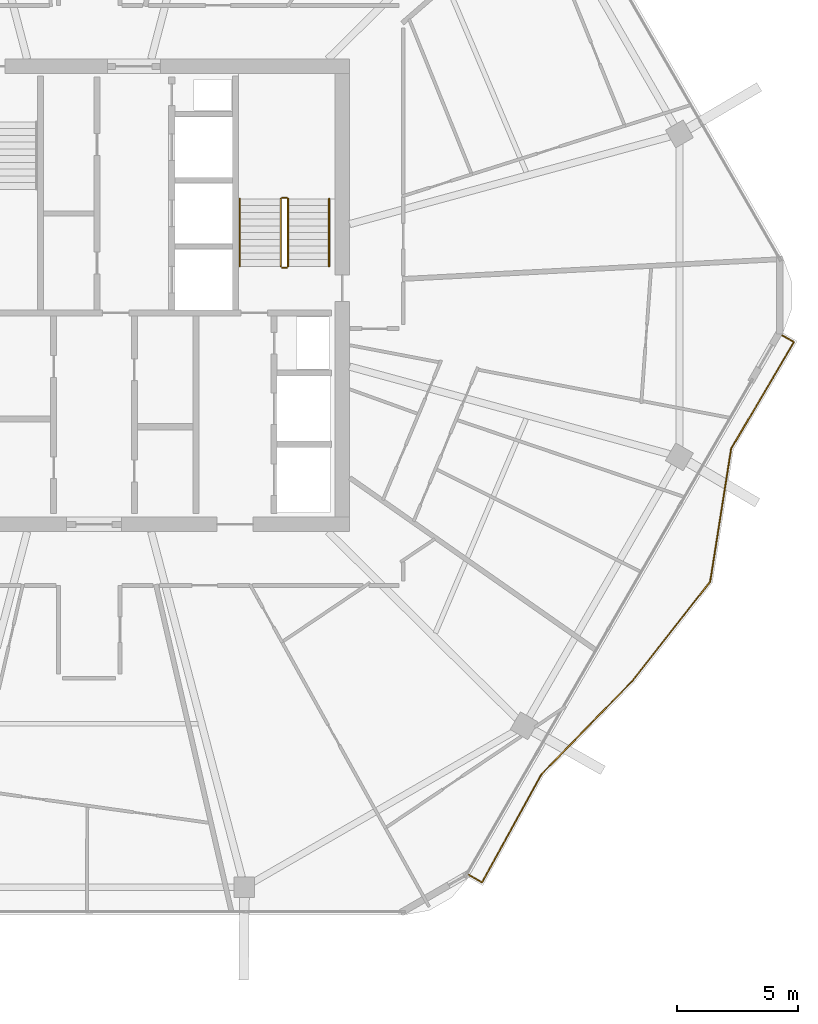
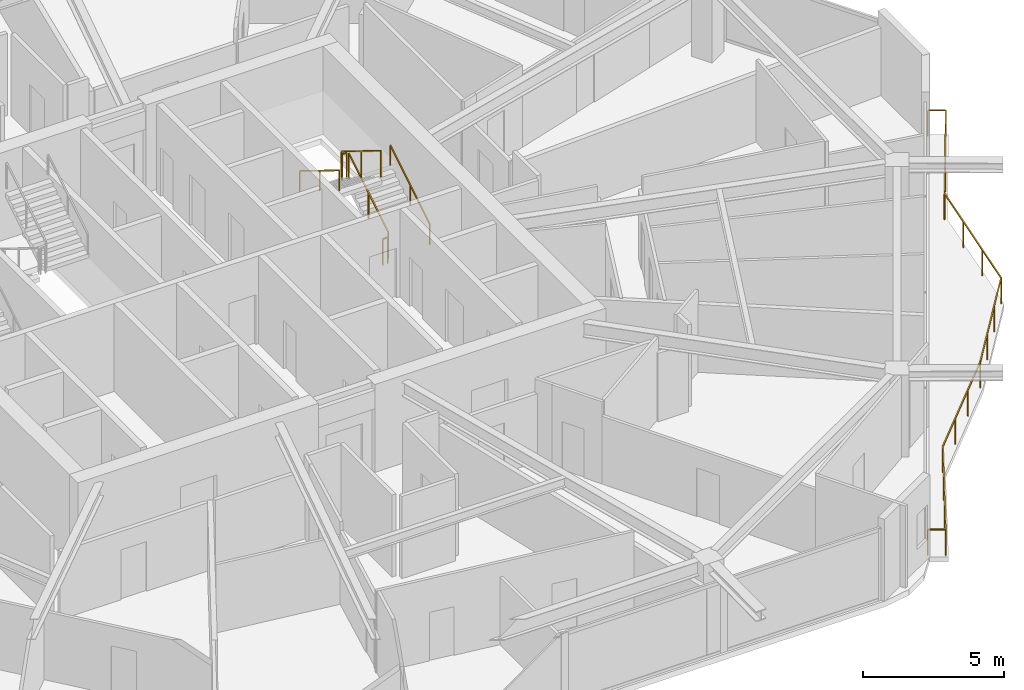
# One storey, part 25 of 26: 7 railings.
"""IFC4 building model written with IfcOpenShell, lengths in metres."""

from ifc_helpers import new_model, si_unit, direction, frame, origin, origin_2d, place, context, subcontext, project, spatial, rectangle, extrude, material, type_object, element, save


model = new_model("IFC4")

# Units and contexts
model_context = context("Model", 3, precision=1e-05, world=origin(), true_north=direction((0.0, 1.0)))
body_context = subcontext(model_context, "Body", "Model", "MODEL_VIEW")
ifc_project = project(units=[si_unit("LENGTHUNIT", "METRE"), si_unit("AREAUNIT", "SQUARE_METRE"), si_unit("VOLUMEUNIT", "CUBIC_METRE"), si_unit("PLANEANGLEUNIT", "RADIAN"), si_unit("MASSUNIT", "GRAM", prefix="KILO")], contexts=[model_context])

# Site, building, storey
site_placement = place(None, origin())
site = spatial("IfcSite", under=ifc_project, at=site_placement, CompositionType="ELEMENT")
building_placement = place(site_placement, origin())
building = spatial("IfcBuilding", under=site, at=building_placement, Name="Zuhravey Tower", CompositionType="ELEMENT")
storey_placement = place(building_placement, frame((0.0, 0.0, 280.60009765625)))
storey = spatial("IfcBuildingStorey", under=building, at=storey_placement, Name="L71", CompositionType="ELEMENT", Elevation=280.60009765625)

# Railings
ifc_material_1 = material(Name="Stainless steel 316 and laminated glass", Category="steel")
railing_type_1 = type_object("IfcRailingType", Name="Balcony & Terrace Guardrail 1150", PredefinedType="BALUSTRADE", material=ifc_material_1)
railing_1_placement = place(storey_placement, frame((64.68310546875, 30.38330078125, 0.0)))
element("IfcRailing", 1, at=railing_1_placement, inside=storey, type_object=railing_type_1, Name="L71 Face 6 Wave Balcony Guardrail GR1", PredefinedType="BALUSTRADE", context=body_context, shape_type="SweptSolid", body=[
    extrude(rectangle(XDim=0.048095703125, YDim=0.048095703125, at=origin_2d()), frame((0.001708984375, -0.0009765625, 1.1259765625), z_axis=(0.866001097133, -0.500042097992, 0.0), x_axis=(0.500042097992, 0.866001097133, 0.0)), (0.0, 0.0, 1.0), 0.635009765625),
    extrude(rectangle(XDim=0.048095703125, YDim=0.048095703125, at=origin_2d()), frame((0.552490234375, -0.3212890625, 1.1259765625), z_axis=(-0.507458486453, -0.861676206314, 0.0), x_axis=(0.861676206314, -0.507458486453, 0.0)), (0.0, 0.0, 1.0), 5.130859375),
    extrude(rectangle(XDim=0.048095703125, YDim=0.048095703125, at=origin_2d()), frame((-2.052490234375, -4.74609375, 1.1259765625), z_axis=(-0.155874982723, -0.987776791467, 0.0), x_axis=(0.987776791467, -0.155874982723, 0.0)), (0.0, 0.0, 1.0), 5.578125),
    extrude(rectangle(XDim=0.048095703125, YDim=0.048095703125, at=origin_2d()), frame((-2.923583984375, -10.259521484375, 1.1259765625), z_axis=(-0.616824692984, -0.787100564175, 0.0), x_axis=(0.787100564175, -0.616824692984, 0.0)), (0.0, 0.0, 1.0), 5.233642578125),
    extrude(rectangle(XDim=0.048095703125, YDim=0.048095703125, at=origin_2d()), frame((-6.154541015625, -14.382080078125, 1.1259765625), z_axis=(-0.697760458343, -0.716331168367, 0.0), x_axis=(0.716331168367, -0.697760458343, 0.0)), (0.0, 0.0, 1.0), 5.385986328125),
    extrude(rectangle(XDim=0.048095703125, YDim=0.048095703125, at=origin_2d()), frame((-9.9150390625, -18.243408203125, 1.1259765625), z_axis=(-0.482536200634, -0.875876027231, 0.0), x_axis=(0.875876027231, -0.482536200634, 0.0)), (0.0, 0.0, 1.0), 5.125244140625),
    extrude(rectangle(XDim=0.048095703125, YDim=0.048095703125, at=origin_2d()), frame((-12.390869140625, -22.7333984375, 1.1259765625), z_axis=(-0.865854018966, 0.500296729792, 0.0), x_axis=(-0.500296729792, -0.865854018966, 0.0)), (0.0, 0.0, 1.0), 0.6337890625),
    extrude(rectangle(XDim=0.0419921875, YDim=0.0419921875, at=origin_2d()), origin(), (0.0, 0.0, 1.0), 1.099853515625),
    extrude(rectangle(XDim=0.0419921875, YDim=0.0419921875, at=origin_2d()), frame((0.553466796875, -0.319580078125, 0.0)), (0.0, 0.0, 1.0), 1.099853515625),
    extrude(rectangle(XDim=0.0419921875, YDim=0.0419921875, at=origin_2d()), frame((-0.315185546875, -1.79443359375, 0.0)), (0.0, 0.0, 1.0), 1.099853515625),
    extrude(rectangle(XDim=0.0419921875, YDim=0.0419921875, at=origin_2d()), frame((-1.18359375, -3.269287109375, 0.0)), (0.0, 0.0, 1.0), 1.099853515625),
    extrude(rectangle(XDim=0.0419921875, YDim=0.0419921875, at=origin_2d()), frame((-2.05224609375, -4.744140625, 0.0)), (0.0, 0.0, 1.0), 1.099853515625),
    extrude(rectangle(XDim=0.0419921875, YDim=0.0419921875, at=origin_2d()), frame((-2.34228515625, -6.58203125, 0.0)), (0.0, 0.0, 1.0), 1.099853515625),
    extrude(rectangle(XDim=0.0419921875, YDim=0.0419921875, at=origin_2d()), frame((-2.63232421875, -8.420166015625, 0.0)), (0.0, 0.0, 1.0), 1.099853515625),
    extrude(rectangle(XDim=0.0419921875, YDim=0.0419921875, at=origin_2d()), frame((-2.92236328125, -10.258056640625, 0.0)), (0.0, 0.0, 1.0), 1.099853515625),
    extrude(rectangle(XDim=0.0419921875, YDim=0.0419921875, at=origin_2d()), frame((-3.999267578125, -11.63232421875, 0.0)), (0.0, 0.0, 1.0), 1.099853515625),
    extrude(rectangle(XDim=0.0419921875, YDim=0.0419921875, at=origin_2d()), frame((-5.076171875, -13.00634765625, 0.0)), (0.0, 0.0, 1.0), 1.099853515625),
    extrude(rectangle(XDim=0.0419921875, YDim=0.0419921875, at=origin_2d()), frame((-6.153076171875, -14.380615234375, 0.0)), (0.0, 0.0, 1.0), 1.099853515625),
    extrude(rectangle(XDim=0.0419921875, YDim=0.0419921875, at=origin_2d()), frame((-7.40673828125, -15.667724609375, 0.0)), (0.0, 0.0, 1.0), 1.099853515625),
    extrude(rectangle(XDim=0.0419921875, YDim=0.0419921875, at=origin_2d()), frame((-8.660400390625, -16.95458984375, 0.0)), (0.0, 0.0, 1.0), 1.099853515625),
    extrude(rectangle(XDim=0.0419921875, YDim=0.0419921875, at=origin_2d()), frame((-9.9140625, -18.24169921875, 0.0)), (0.0, 0.0, 1.0), 1.099853515625),
    extrude(rectangle(XDim=0.0419921875, YDim=0.0419921875, at=origin_2d()), frame((-10.739013671875, -19.7392578125, 0.0)), (0.0, 0.0, 1.0), 1.099853515625),
    extrude(rectangle(XDim=0.0419921875, YDim=0.0419921875, at=origin_2d()), frame((-11.564208984375, -21.23681640625, 0.0)), (0.0, 0.0, 1.0), 1.099853515625),
    extrude(rectangle(XDim=0.0419921875, YDim=0.0419921875, at=origin_2d()), frame((-12.38916015625, -22.734375, 0.0)), (0.0, 0.0, 1.0), 1.099853515625),
    extrude(rectangle(XDim=0.0419921875, YDim=0.0419921875, at=origin_2d()), frame((-12.94140625, -22.415283203125, 0.0)), (0.0, 0.0, 1.0), 1.099853515625),
])
ifc_material_2 = material(Name="Brushed stainless steel", Category="steel")
railing_type_2 = type_object("IfcRailingType", Name="Stair Wall Handrail 900", PredefinedType="HANDRAIL", material=ifc_material_2)
railing_2_placement = place(storey_placement, frame((45.949951171875, 33.199951171875, 0.172607421875)))
element("IfcRailing", 2, at=railing_2_placement, inside=storey, type_object=railing_type_2, Name="L71 ST2 stair handrail 1", PredefinedType="HANDRAIL", context=body_context, shape_type="SweptSolid", body=[
    extrude(rectangle(XDim=0.048095703125, YDim=0.048095703125, at=origin_2d()), frame((0.0, 0.001708984375, 0.876953125), z_axis=(0.0, 0.851089632645, 0.525020415988), x_axis=(-1.0, 0.0, 0.0)), (0.0, 0.0, 1.0), 3.285888671875),
    extrude(rectangle(XDim=0.0419921875, YDim=0.0419921875, at=origin_2d()), origin(), (0.0, 0.0, 1.0), 0.849853515625),
    extrude(rectangle(XDim=0.0419921875, YDim=0.0419921875, at=origin_2d()), frame((0.0, 1.39990234375, 0.86376953125)), (0.0, 0.0, 1.0), 0.849853515625),
    extrude(rectangle(XDim=0.0419921875, YDim=0.0419921875, at=origin_2d()), frame((0.0, 2.800048828125, 1.727294921875)), (0.0, 0.0, 1.0), 0.849853515625),
])
railing_3_placement = place(storey_placement, frame((42.25, 36.0, 2.072509765625)))
element("IfcRailing", 3, at=railing_3_placement, inside=storey, type_object=railing_type_2, Name="L71 ST2 stair handrail 2", PredefinedType="HANDRAIL", context=body_context, shape_type="SweptSolid", body=[
    extrude(rectangle(XDim=0.048095703125, YDim=0.048095703125, at=origin_2d()), frame((0.0, -0.001708984375, 0.876953125), z_axis=(0.0, -0.851089632645, 0.525020415988), x_axis=(1.0, 0.0, 0.0)), (0.0, 0.0, 1.0), 3.285888671875),
    extrude(rectangle(XDim=0.0419921875, YDim=0.0419921875, at=origin_2d()), origin(), (0.0, 0.0, 1.0), 0.849853515625),
    extrude(rectangle(XDim=0.0419921875, YDim=0.0419921875, at=origin_2d()), frame((0.0, -1.39990234375, 0.86376953125)), (0.0, 0.0, 1.0), 0.849853515625),
    extrude(rectangle(XDim=0.0419921875, YDim=0.0419921875, at=origin_2d()), frame((0.0, -2.800048828125, 1.727294921875)), (0.0, 0.0, 1.0), 0.849853515625),
])
ifc_material_3 = material(Name="Painted tubular steel", Category="steel")
railing_type_3 = type_object("IfcRailingType", Name="Stair Well Guardrail 1150", PredefinedType="GUARDRAIL", material=ifc_material_3)
railing_4_placement = place(storey_placement, frame((44.25, 33.199951171875, 0.172607421875)))
element("IfcRailing", 4, at=railing_4_placement, inside=storey, type_object=railing_type_3, Name="L71 ST2 stair guard 1", PredefinedType="GUARDRAIL", context=body_context, shape_type="SweptSolid", body=[
    extrude(rectangle(XDim=0.048095703125, YDim=0.048095703125, at=origin_2d()), frame((0.0, 0.001708984375, 1.126953125), z_axis=(0.0, 0.851089632645, 0.525020415988), x_axis=(-1.0, 0.0, 0.0)), (0.0, 0.0, 1.0), 3.285888671875),
    extrude(rectangle(XDim=0.0419921875, YDim=0.0419921875, at=origin_2d()), origin(), (0.0, 0.0, 1.0), 1.099853515625),
    extrude(rectangle(XDim=0.0419921875, YDim=0.0419921875, at=origin_2d()), frame((0.0, 1.39990234375, 0.86376953125)), (0.0, 0.0, 1.0), 1.099853515625),
    extrude(rectangle(XDim=0.0419921875, YDim=0.0419921875, at=origin_2d()), frame((0.0, 2.800048828125, 1.727294921875)), (0.0, 0.0, 1.0), 1.099853515625),
])
railing_5_placement = place(storey_placement, frame((44.199951171875, 36.050048828125, 1.89990234375)))
element("IfcRailing", 5, at=railing_5_placement, inside=storey, type_object=railing_type_3, Name="L71 ST2 stair guard 2", PredefinedType="GUARDRAIL", context=body_context, shape_type="SweptSolid", body=[
    extrude(rectangle(XDim=0.048095703125, YDim=0.048095703125, at=origin_2d()), frame((-0.001953125, 0.0, 1.1259765625), z_axis=(-1.0, 0.0, 0.0), x_axis=(0.0, -1.0, 0.0)), (0.0, 0.0, 1.0), 0.196044921875),
    extrude(rectangle(XDim=0.0419921875, YDim=0.0419921875, at=origin_2d()), origin(), (0.0, 0.0, 1.0), 1.099853515625),
    extrude(rectangle(XDim=0.0419921875, YDim=0.0419921875, at=origin_2d()), frame((-0.199951171875, 0.0, 0.0)), (0.0, 0.0, 1.0), 1.099853515625),
])
railing_6_placement = place(storey_placement, frame((43.949951171875, 36.0, 2.072509765625)))
element("IfcRailing", 6, at=railing_6_placement, inside=storey, type_object=railing_type_3, Name="L71 ST2 stair guard 3", PredefinedType="GUARDRAIL", context=body_context, shape_type="SweptSolid", body=[
    extrude(rectangle(XDim=0.048095703125, YDim=0.048095703125, at=origin_2d()), frame((0.0, -0.001708984375, 1.126953125), z_axis=(0.0, -0.851089632645, 0.525020415988), x_axis=(1.0, 0.0, 0.0)), (0.0, 0.0, 1.0), 3.285888671875),
    extrude(rectangle(XDim=0.0419921875, YDim=0.0419921875, at=origin_2d()), origin(), (0.0, 0.0, 1.0), 1.099853515625),
    extrude(rectangle(XDim=0.0419921875, YDim=0.0419921875, at=origin_2d()), frame((0.0, -1.39990234375, 0.86376953125)), (0.0, 0.0, 1.0), 1.099853515625),
    extrude(rectangle(XDim=0.0419921875, YDim=0.0419921875, at=origin_2d()), frame((0.0, -2.800048828125, 1.727294921875)), (0.0, 0.0, 1.0), 1.099853515625),
])
railing_7_placement = place(storey_placement, frame((44.199951171875, 33.14990234375, 0.0)))
element("IfcRailing", 7, at=railing_7_placement, inside=storey, type_object=railing_type_3, Name="L71 ST2 stair guard 4", PredefinedType="GUARDRAIL", context=body_context, shape_type="SweptSolid", body=[
    extrude(rectangle(XDim=0.048095703125, YDim=0.048095703125, at=origin_2d()), frame((-0.001953125, 0.0, 1.1259765625), z_axis=(-1.0, 0.0, 0.0), x_axis=(0.0, -1.0, 0.0)), (0.0, 0.0, 1.0), 0.196044921875),
    extrude(rectangle(XDim=0.0419921875, YDim=0.0419921875, at=origin_2d()), origin(), (0.0, 0.0, 1.0), 1.099853515625),
    extrude(rectangle(XDim=0.0419921875, YDim=0.0419921875, at=origin_2d()), frame((-0.199951171875, 0.0, 0.0)), (0.0, 0.0, 1.0), 1.099853515625),
])

save(model, "model.ifc")
